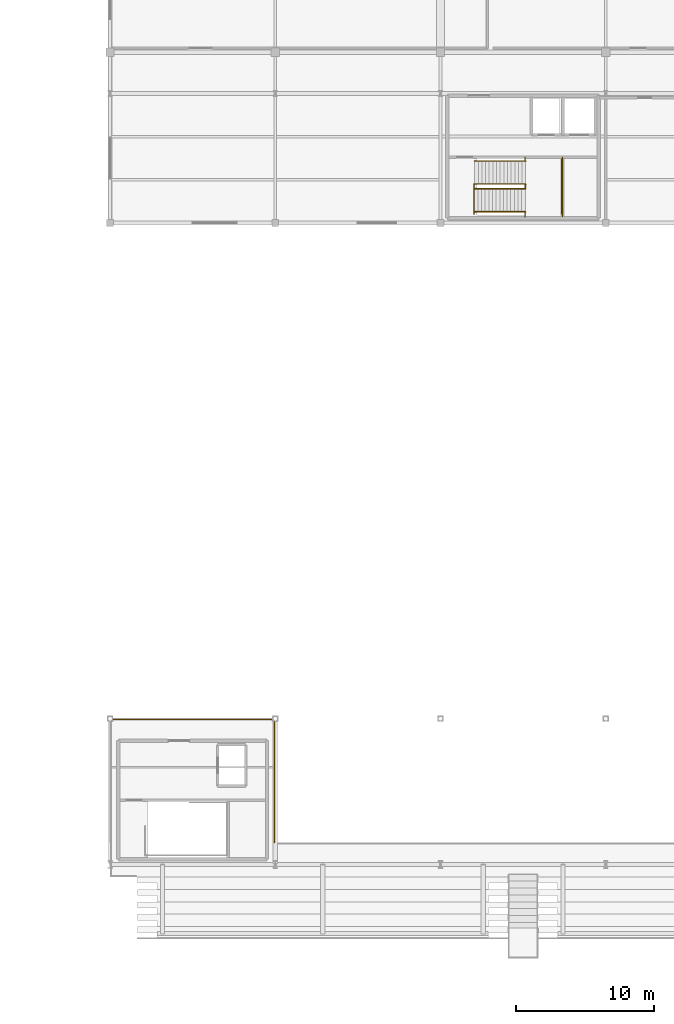
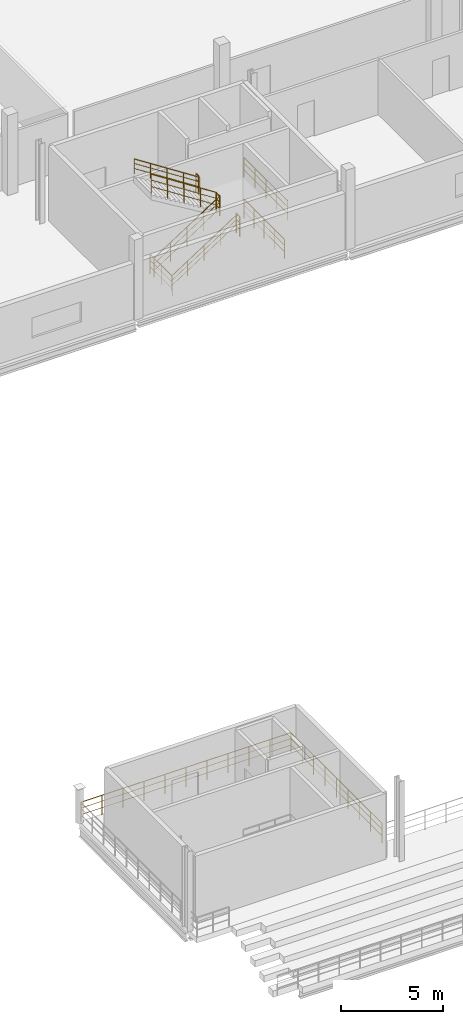
# One storey, part 48 of 52: 12 railings.
"""IFC4 building model written with IfcOpenShell, lengths in metres."""

from ifc_helpers import new_model, si_unit, direction, frame, origin, origin_2d, place, context, subcontext, project, spatial, circle, extrude, material, layer, layer_set, type_object, element, save


model = new_model("IFC4")

# Units and contexts
model_context = context("Model", 3, precision=1e-05, world=origin(), true_north=direction((0.0, 1.0)))
body_context = subcontext(model_context, "Body", "Model", "MODEL_VIEW")
ifc_project = project(units=[si_unit("LENGTHUNIT", "METRE"), si_unit("AREAUNIT", "SQUARE_METRE"), si_unit("VOLUMEUNIT", "CUBIC_METRE"), si_unit("PLANEANGLEUNIT", "RADIAN"), si_unit("MASSUNIT", "GRAM", prefix="KILO"), si_unit("THERMODYNAMICTEMPERATUREUNIT", "KELVIN"), si_unit("POWERUNIT", "WATT")], contexts=[model_context])

# Site, building, storey
site_placement = place(None, origin())
site = spatial("IfcSite", under=ifc_project, at=site_placement, CompositionType="ELEMENT")
building_placement = place(site_placement, origin())
building = spatial("IfcBuilding", under=site, at=building_placement, Name="Solmara Park Aquatics Centre", CompositionType="ELEMENT")
storey_placement = place(building_placement, frame((0.0, 0.0, 9.60009765625)))
storey = spatial("IfcBuildingStorey", under=building, at=storey_placement, Name="L02", CompositionType="ELEMENT", Elevation=9.60009765625)

# Railings
ifc_material_1 = material(Name="Brushed Marine-Grade Stainless Steel 316L Handrail", Category="steel")
ifc_layer_1 = layer(ifc_material_1, 0.044921875, Name="Brushed Marine-Grade Stainless Steel 316L Handrail")
ifc_layer_set_1 = layer_set([ifc_layer_1], Name="Brushed Marine-Grade Stainless Steel 316L Handrail")
railing_type_1 = type_object("IfcRailingType", Name="ARC-RL-HND090", PredefinedType="HANDRAIL", material=ifc_layer_set_1)
railing_1_placement = place(storey_placement, frame((51.050048828125, 109.409912109375, 0.159912109375)))
element("IfcRailing", 1, at=railing_1_placement, inside=storey, type_object=railing_type_1, Name="ST-01 Protected Exit Stair (L02 to L03) Flight 1 Outer Handrail", PredefinedType="HANDRAIL", context=body_context, shape_type="SweptSolid", body=[
    extrude(circle(Radius=0.02392578125, at=origin_2d()), frame((0.0, 0.0, 0.89599609375), z_axis=(0.839638341943, 0.0, 0.543145887161), x_axis=(0.0, 1.0, 0.0)), (0.0, 0.0, 1.0), 4.41845703125),
    extrude(circle(Radius=0.01416015625, at=origin_2d()), frame((0.0, 0.0, 0.322021484375), z_axis=(0.839638341943, 0.0, 0.543145887161), x_axis=(0.0, 1.0, 0.0)), (0.0, 0.0, 1.0), 4.41845703125),
    extrude(circle(Radius=0.01416015625, at=origin_2d()), frame((0.0, 0.0, 0.62548828125), z_axis=(0.839638341943, 0.0, 0.543145887161), x_axis=(0.0, 1.0, 0.0)), (0.0, 0.0, 1.0), 4.41845703125),
    extrude(circle(Radius=0.02099609375, at=origin_2d()), origin(), (0.0, 0.0, 1.0), 0.871826171875),
    extrude(circle(Radius=0.02099609375, at=origin_2d()), frame((0.927490234375, 0.0, 0.60009765625)), (0.0, 0.0, 1.0), 0.871826171875),
    extrude(circle(Radius=0.02099609375, at=origin_2d()), frame((1.85498046875, 0.0, 1.199951171875)), (0.0, 0.0, 1.0), 0.871826171875),
    extrude(circle(Radius=0.02099609375, at=origin_2d()), frame((2.782470703125, 0.0, 1.7998046875)), (0.0, 0.0, 1.0), 0.871826171875),
    extrude(circle(Radius=0.02099609375, at=origin_2d()), frame((3.7099609375, 0.0, 2.39990234375)), (0.0, 0.0, 1.0), 0.871826171875),
])
railing_2_placement = place(storey_placement, frame((54.7900390625, 113.090087890625, 2.559814453125)))
element("IfcRailing", 2, at=railing_2_placement, inside=storey, type_object=railing_type_1, Name="ST-01 Protected Exit Stair (L02 to L03) Flight 2 Outer Handrail", PredefinedType="HANDRAIL", context=body_context, shape_type="SweptSolid", body=[
    extrude(circle(Radius=0.02392578125, at=origin_2d()), frame((0.0, 0.0, 0.89599609375), z_axis=(-0.839613143467, 0.0, 0.543184838999), x_axis=(0.0, -1.0, 0.0)), (0.0, 0.0, 1.0), 4.418701171875),
    extrude(circle(Radius=0.01416015625, at=origin_2d()), frame((0.0, 0.0, 0.322021484375), z_axis=(-0.839613143467, 0.0, 0.543184838999), x_axis=(0.0, -1.0, 0.0)), (0.0, 0.0, 1.0), 4.418701171875),
    extrude(circle(Radius=0.01416015625, at=origin_2d()), frame((0.0, 0.0, 0.62548828125), z_axis=(-0.839613143467, 0.0, 0.543184838999), x_axis=(0.0, -1.0, 0.0)), (0.0, 0.0, 1.0), 4.418701171875),
    extrude(circle(Radius=0.02099609375, at=origin_2d()), origin(), (0.0, 0.0, 1.0), 0.871826171875),
    extrude(circle(Radius=0.02099609375, at=origin_2d()), frame((-0.927490234375, 0.0, 0.60009765625)), (0.0, 0.0, 1.0), 0.871826171875),
    extrude(circle(Radius=0.02099609375, at=origin_2d()), frame((-1.85498046875, 0.0, 1.2001953125)), (0.0, 0.0, 1.0), 0.871826171875),
    extrude(circle(Radius=0.02099609375, at=origin_2d()), frame((-2.782470703125, 0.0, 1.800048828125)), (0.0, 0.0, 1.0), 0.871826171875),
    extrude(circle(Radius=0.02099609375, at=origin_2d()), frame((-3.7099609375, 0.0, 2.400146484375)), (0.0, 0.0, 1.0), 0.871826171875),
])
ifc_material_2 = material(Name="Toughened Glass and Stainless Steel Stand Guardrail", Category="steel")
ifc_layer_2 = layer(ifc_material_2, 0.06005859375, Name="Toughened Glass and Stainless Steel Stand Guardrail")
ifc_layer_set_2 = layer_set([ifc_layer_2], Name="Toughened Glass and Stainless Steel Stand Guardrail")
railing_type_2 = type_object("IfcRailingType", Name="ARC-RL-STD110", PredefinedType="GUARDRAIL", material=ifc_layer_set_2)
railing_3_placement = place(storey_placement, frame((36.550048828125, 63.60009765625, 0.0)))
element("IfcRailing", 3, at=railing_3_placement, inside=storey, type_object=railing_type_2, Name="Atrium & Gallery Void Guardrail 15", PredefinedType="GUARDRAIL", context=body_context, shape_type="SweptSolid", body=[
    extrude(circle(Radius=0.02392578125, at=origin_2d()), frame((0.0, 0.0, 1.15576171875), z_axis=(0.0, 1.0, 0.0), x_axis=(-1.0, 0.0, 0.0)), (0.0, 0.0, 1.0), 8.949951171875),
    extrude(circle(Radius=0.01416015625, at=origin_2d()), frame((0.0, 0.0, 0.4130859375), z_axis=(0.0, 1.0, 0.0), x_axis=(-1.0, 0.0, 0.0)), (0.0, 0.0, 1.0), 8.949951171875),
    extrude(circle(Radius=0.01416015625, at=origin_2d()), frame((0.0, 0.0, 0.80224609375), z_axis=(0.0, 1.0, 0.0), x_axis=(-1.0, 0.0, 0.0)), (0.0, 0.0, 1.0), 8.949951171875),
    extrude(circle(Radius=0.02099609375, at=origin_2d()), origin(), (0.0, 0.0, 1.0), 1.1318359375),
    extrude(circle(Radius=0.02099609375, at=origin_2d()), frame((0.0, 1.11865234375, 0.0)), (0.0, 0.0, 1.0), 1.1318359375),
    extrude(circle(Radius=0.02099609375, at=origin_2d()), frame((0.0, 2.237548828125, 0.0)), (0.0, 0.0, 1.0), 1.1318359375),
    extrude(circle(Radius=0.02099609375, at=origin_2d()), frame((0.0, 3.356201171875, 0.0)), (0.0, 0.0, 1.0), 1.1318359375),
    extrude(circle(Radius=0.02099609375, at=origin_2d()), frame((0.0, 4.47509765625, 0.0)), (0.0, 0.0, 1.0), 1.1318359375),
    extrude(circle(Radius=0.02099609375, at=origin_2d()), frame((0.0, 5.59375, 0.0)), (0.0, 0.0, 1.0), 1.1318359375),
    extrude(circle(Radius=0.02099609375, at=origin_2d()), frame((0.0, 6.71240234375, 0.0)), (0.0, 0.0, 1.0), 1.1318359375),
    extrude(circle(Radius=0.02099609375, at=origin_2d()), frame((0.0, 7.831298828125, 0.0)), (0.0, 0.0, 1.0), 1.1318359375),
    extrude(circle(Radius=0.02099609375, at=origin_2d()), frame((0.0, 8.949951171875, 0.0)), (0.0, 0.0, 1.0), 1.1318359375),
])
railing_4_placement = place(storey_placement, frame((24.64990234375, 72.550048828125, 0.0)))
element("IfcRailing", 4, at=railing_4_placement, inside=storey, type_object=railing_type_2, Name="Atrium & Gallery Void Guardrail 16", PredefinedType="GUARDRAIL", context=body_context, shape_type="SweptSolid", body=[
    extrude(circle(Radius=0.02392578125, at=origin_2d()), frame((0.0, 0.0, 1.15576171875), z_axis=(1.0, 0.0, 0.0), x_axis=(0.0, 1.0, 0.0)), (0.0, 0.0, 1.0), 11.900146484375),
    extrude(circle(Radius=0.01416015625, at=origin_2d()), frame((0.0, 0.0, 0.4130859375), z_axis=(1.0, 0.0, 0.0), x_axis=(0.0, 1.0, 0.0)), (0.0, 0.0, 1.0), 11.900146484375),
    extrude(circle(Radius=0.01416015625, at=origin_2d()), frame((0.0, 0.0, 0.80224609375), z_axis=(1.0, 0.0, 0.0), x_axis=(0.0, 1.0, 0.0)), (0.0, 0.0, 1.0), 11.900146484375),
    extrude(circle(Radius=0.02099609375, at=origin_2d()), origin(), (0.0, 0.0, 1.0), 1.1318359375),
    extrude(circle(Radius=0.02099609375, at=origin_2d()), frame((1.18994140625, 0.0, 0.0)), (0.0, 0.0, 1.0), 1.1318359375),
    extrude(circle(Radius=0.02099609375, at=origin_2d()), frame((2.380126953125, 0.0, 0.0)), (0.0, 0.0, 1.0), 1.1318359375),
    extrude(circle(Radius=0.02099609375, at=origin_2d()), frame((3.570068359375, 0.0, 0.0)), (0.0, 0.0, 1.0), 1.1318359375),
    extrude(circle(Radius=0.02099609375, at=origin_2d()), frame((4.760009765625, 0.0, 0.0)), (0.0, 0.0, 1.0), 1.1318359375),
    extrude(circle(Radius=0.02099609375, at=origin_2d()), frame((5.9501953125, 0.0, 0.0)), (0.0, 0.0, 1.0), 1.1318359375),
    extrude(circle(Radius=0.02099609375, at=origin_2d()), frame((7.14013671875, 0.0, 0.0)), (0.0, 0.0, 1.0), 1.1318359375),
    extrude(circle(Radius=0.02099609375, at=origin_2d()), frame((8.330078125, 0.0, 0.0)), (0.0, 0.0, 1.0), 1.1318359375),
    extrude(circle(Radius=0.02099609375, at=origin_2d()), frame((9.52001953125, 0.0, 0.0)), (0.0, 0.0, 1.0), 1.1318359375),
    extrude(circle(Radius=0.02099609375, at=origin_2d()), frame((10.710205078125, 0.0, 0.0)), (0.0, 0.0, 1.0), 1.1318359375),
    extrude(circle(Radius=0.02099609375, at=origin_2d()), frame((11.900146484375, 0.0, 0.0)), (0.0, 0.0, 1.0), 1.1318359375),
])
ifc_material_3 = material(Name="Brushed Stainless Steel Guardrail", Category="steel")
ifc_layer_3 = layer(ifc_material_3, 0.050048828125, Name="Brushed Stainless Steel Guardrail")
ifc_layer_set_3 = layer_set([ifc_layer_3], Name="Brushed Stainless Steel Guardrail")
railing_type_3 = type_object("IfcRailingType", Name="ARC-RL-STR110", PredefinedType="GUARDRAIL", material=ifc_layer_set_3)
railing_5_placement = place(storey_placement, frame((51.030029296875, 109.27001953125, 0.0)))
element("IfcRailing", 5, at=railing_5_placement, inside=storey, type_object=railing_type_3, Name="ST-01 Protected Exit Stair (L01 to L02) Arrival Well Guardrail", PredefinedType="GUARDRAIL", context=body_context, shape_type="SweptSolid", body=[
    extrude(circle(Radius=0.02392578125, at=origin_2d()), frame((0.0, 0.0, 1.15576171875), z_axis=(0.0, 1.0, 0.0), x_axis=(-1.0, 0.0, 0.0)), (0.0, 0.0, 1.0), 2.169921875),
    extrude(circle(Radius=0.01416015625, at=origin_2d()), frame((0.0, 0.0, 0.4130859375), z_axis=(0.0, 1.0, 0.0), x_axis=(-1.0, 0.0, 0.0)), (0.0, 0.0, 1.0), 2.169921875),
    extrude(circle(Radius=0.01416015625, at=origin_2d()), frame((0.0, 0.0, 0.80224609375), z_axis=(0.0, 1.0, 0.0), x_axis=(-1.0, 0.0, 0.0)), (0.0, 0.0, 1.0), 2.169921875),
    extrude(circle(Radius=0.02099609375, at=origin_2d()), origin(), (0.0, 0.0, 1.0), 1.1318359375),
    extrude(circle(Radius=0.02099609375, at=origin_2d()), frame((0.0, 1.0849609375, 0.0)), (0.0, 0.0, 1.0), 1.1318359375),
    extrude(circle(Radius=0.02099609375, at=origin_2d()), frame((0.0, 2.169921875, 0.0)), (0.0, 0.0, 1.0), 1.1318359375),
])
railing_6_placement = place(storey_placement, frame((57.3798828125, 109.27001953125, 0.0)))
element("IfcRailing", 6, at=railing_6_placement, inside=storey, type_object=railing_type_3, Name="ST-01 Protected Exit Stair (L01 to L02) Far Well Edge Guardrail", PredefinedType="GUARDRAIL", context=body_context, shape_type="SweptSolid", body=[
    extrude(circle(Radius=0.02392578125, at=origin_2d()), frame((0.0, 0.0, 1.15576171875), z_axis=(0.0, 1.0, 0.0), x_axis=(-1.0, 0.0, 0.0)), (0.0, 0.0, 1.0), 3.9599609375),
    extrude(circle(Radius=0.01416015625, at=origin_2d()), frame((0.0, 0.0, 0.4130859375), z_axis=(0.0, 1.0, 0.0), x_axis=(-1.0, 0.0, 0.0)), (0.0, 0.0, 1.0), 3.9599609375),
    extrude(circle(Radius=0.01416015625, at=origin_2d()), frame((0.0, 0.0, 0.80224609375), z_axis=(0.0, 1.0, 0.0), x_axis=(-1.0, 0.0, 0.0)), (0.0, 0.0, 1.0), 3.9599609375),
    extrude(circle(Radius=0.02099609375, at=origin_2d()), origin(), (0.0, 0.0, 1.0), 1.1318359375),
    extrude(circle(Radius=0.02099609375, at=origin_2d()), frame((0.0, 0.989990234375, 0.0)), (0.0, 0.0, 1.0), 1.1318359375),
    extrude(circle(Radius=0.02099609375, at=origin_2d()), frame((0.0, 1.97998046875, 0.0)), (0.0, 0.0, 1.0), 1.1318359375),
    extrude(circle(Radius=0.02099609375, at=origin_2d()), frame((0.0, 2.969970703125, 0.0)), (0.0, 0.0, 1.0), 1.1318359375),
    extrude(circle(Radius=0.02099609375, at=origin_2d()), frame((0.0, 3.9599609375, 0.0)), (0.0, 0.0, 1.0), 1.1318359375),
])
railing_7_placement = place(storey_placement, frame((51.050048828125, 111.080078125, 0.0)))
element("IfcRailing", 7, at=railing_7_placement, inside=storey, type_object=railing_type_3, Name="ST-01 Protected Exit Stair (L02 to L03) Flight 1 Inner Guardrail", PredefinedType="GUARDRAIL", context=body_context, shape_type="SweptSolid", body=[
    extrude(circle(Radius=0.02392578125, at=origin_2d()), frame((0.0, 0.0, 1.15576171875), z_axis=(0.839638341943, 0.0, 0.543145887161), x_axis=(0.0, 1.0, 0.0)), (0.0, 0.0, 1.0), 4.41845703125),
    extrude(circle(Radius=0.01416015625, at=origin_2d()), frame((0.0, 0.0, 0.4130859375), z_axis=(0.839638341943, 0.0, 0.543145887161), x_axis=(0.0, 1.0, 0.0)), (0.0, 0.0, 1.0), 4.41845703125),
    extrude(circle(Radius=0.01416015625, at=origin_2d()), frame((0.0, 0.0, 0.80224609375), z_axis=(0.839638341943, 0.0, 0.543145887161), x_axis=(0.0, 1.0, 0.0)), (0.0, 0.0, 1.0), 4.41845703125),
    extrude(circle(Radius=0.02099609375, at=origin_2d()), origin(), (0.0, 0.0, 1.0), 1.1318359375),
    extrude(circle(Radius=0.02099609375, at=origin_2d()), frame((0.927490234375, 0.0, 0.60009765625)), (0.0, 0.0, 1.0), 1.1318359375),
    extrude(circle(Radius=0.02099609375, at=origin_2d()), frame((1.85498046875, 0.0, 1.199951171875)), (0.0, 0.0, 1.0), 1.1318359375),
    extrude(circle(Radius=0.02099609375, at=origin_2d()), frame((2.782470703125, 0.0, 1.7998046875)), (0.0, 0.0, 1.0), 1.1318359375),
    extrude(circle(Radius=0.02099609375, at=origin_2d()), frame((3.7099609375, 0.0, 2.39990234375)), (0.0, 0.0, 1.0), 1.1318359375),
])
railing_8_placement = place(storey_placement, frame((54.7900390625, 111.419921875, 2.39990234375)))
element("IfcRailing", 8, at=railing_8_placement, inside=storey, type_object=railing_type_3, Name="ST-01 Protected Exit Stair (L02 to L03) Flight 2 Inner Guardrail", PredefinedType="GUARDRAIL", context=body_context, shape_type="SweptSolid", body=[
    extrude(circle(Radius=0.02392578125, at=origin_2d()), frame((0.0, 0.0, 1.15576171875), z_axis=(-0.839638341943, 0.0, 0.543145887161), x_axis=(0.0, -1.0, 0.0)), (0.0, 0.0, 1.0), 4.41845703125),
    extrude(circle(Radius=0.01416015625, at=origin_2d()), frame((0.0, 0.0, 0.4130859375), z_axis=(-0.839638341943, 0.0, 0.543145887161), x_axis=(0.0, -1.0, 0.0)), (0.0, 0.0, 1.0), 4.41845703125),
    extrude(circle(Radius=0.01416015625, at=origin_2d()), frame((0.0, 0.0, 0.80224609375), z_axis=(-0.839638341943, 0.0, 0.543145887161), x_axis=(0.0, -1.0, 0.0)), (0.0, 0.0, 1.0), 4.41845703125),
    extrude(circle(Radius=0.02099609375, at=origin_2d()), origin(), (0.0, 0.0, 1.0), 1.1318359375),
    extrude(circle(Radius=0.02099609375, at=origin_2d()), frame((-0.927490234375, 0.0, 0.60009765625)), (0.0, 0.0, 1.0), 1.1318359375),
    extrude(circle(Radius=0.02099609375, at=origin_2d()), frame((-1.85498046875, 0.0, 1.199951171875)), (0.0, 0.0, 1.0), 1.1318359375),
    extrude(circle(Radius=0.02099609375, at=origin_2d()), frame((-2.782470703125, 0.0, 1.7998046875)), (0.0, 0.0, 1.0), 1.1318359375),
    extrude(circle(Radius=0.02099609375, at=origin_2d()), frame((-3.7099609375, 0.0, 2.39990234375)), (0.0, 0.0, 1.0), 1.1318359375),
])
railing_9_placement = place(storey_placement, frame((54.760009765625, 111.06005859375, 2.39990234375)))
element("IfcRailing", 9, at=railing_9_placement, inside=storey, type_object=railing_type_3, Name="ST-01 Protected Exit Stair (L02 to L03) Half-Landing Well Guardrail", PredefinedType="GUARDRAIL", context=body_context, shape_type="SweptSolid", body=[
    extrude(circle(Radius=0.02392578125, at=origin_2d()), frame((0.0, 0.0, 1.15576171875), z_axis=(0.0, 1.0, 0.0), x_axis=(-1.0, 0.0, 0.0)), (0.0, 0.0, 1.0), 0.3798828125),
    extrude(circle(Radius=0.01416015625, at=origin_2d()), frame((0.0, 0.0, 0.4130859375), z_axis=(0.0, 1.0, 0.0), x_axis=(-1.0, 0.0, 0.0)), (0.0, 0.0, 1.0), 0.3798828125),
    extrude(circle(Radius=0.01416015625, at=origin_2d()), frame((0.0, 0.0, 0.80224609375), z_axis=(0.0, 1.0, 0.0), x_axis=(-1.0, 0.0, 0.0)), (0.0, 0.0, 1.0), 0.3798828125),
    extrude(circle(Radius=0.02099609375, at=origin_2d()), origin(), (0.0, 0.0, 1.0), 1.1318359375),
    extrude(circle(Radius=0.02099609375, at=origin_2d()), frame((0.0, 0.3798828125, 0.0)), (0.0, 0.0, 1.0), 1.1318359375),
])
railing_10_placement = place(storey_placement, frame((54.72998046875, 109.0400390625, 2.39990234375)))
element("IfcRailing", 10, at=railing_10_placement, inside=storey, type_object=railing_type_3, Name="ST-01 Protected Exit Stair (L02 to L03) Half-Landing South Slot Guardrail", PredefinedType="GUARDRAIL", context=body_context, shape_type="SweptSolid", body=[
    extrude(circle(Radius=0.02392578125, at=origin_2d()), frame((0.0, 0.0, 1.15576171875), z_axis=(0.0, 1.0, 0.0), x_axis=(-1.0, 0.0, 0.0)), (0.0, 0.0, 1.0), 0.35986328125),
    extrude(circle(Radius=0.01416015625, at=origin_2d()), frame((0.0, 0.0, 0.4130859375), z_axis=(0.0, 1.0, 0.0), x_axis=(-1.0, 0.0, 0.0)), (0.0, 0.0, 1.0), 0.35986328125),
    extrude(circle(Radius=0.01416015625, at=origin_2d()), frame((0.0, 0.0, 0.80224609375), z_axis=(0.0, 1.0, 0.0), x_axis=(-1.0, 0.0, 0.0)), (0.0, 0.0, 1.0), 0.35986328125),
    extrude(circle(Radius=0.02099609375, at=origin_2d()), origin(), (0.0, 0.0, 1.0), 1.1318359375),
    extrude(circle(Radius=0.02099609375, at=origin_2d()), frame((0.0, 0.35986328125, 0.0)), (0.0, 0.0, 1.0), 1.1318359375),
])
railing_11_placement = place(storey_placement, frame((54.72998046875, 113.10009765625, 2.39990234375)))
element("IfcRailing", 11, at=railing_11_placement, inside=storey, type_object=railing_type_3, Name="ST-01 Protected Exit Stair (L02 to L03) Half-Landing North Slot Guardrail", PredefinedType="GUARDRAIL", context=body_context, shape_type="SweptSolid", body=[
    extrude(circle(Radius=0.02392578125, at=origin_2d()), frame((0.0, 0.0, 1.15576171875), z_axis=(0.0, 1.0, 0.0), x_axis=(-1.0, 0.0, 0.0)), (0.0, 0.0, 1.0), 0.260009765625),
    extrude(circle(Radius=0.01416015625, at=origin_2d()), frame((0.0, 0.0, 0.4130859375), z_axis=(0.0, 1.0, 0.0), x_axis=(-1.0, 0.0, 0.0)), (0.0, 0.0, 1.0), 0.260009765625),
    extrude(circle(Radius=0.01416015625, at=origin_2d()), frame((0.0, 0.0, 0.80224609375), z_axis=(0.0, 1.0, 0.0), x_axis=(-1.0, 0.0, 0.0)), (0.0, 0.0, 1.0), 0.260009765625),
    extrude(circle(Radius=0.02099609375, at=origin_2d()), origin(), (0.0, 0.0, 1.0), 1.1318359375),
    extrude(circle(Radius=0.02099609375, at=origin_2d()), frame((0.0, 0.260009765625, 0.0)), (0.0, 0.0, 1.0), 1.1318359375),
])
railing_12_placement = place(storey_placement, frame((57.449951171875, 109.06005859375, 2.39990234375)))
element("IfcRailing", 12, at=railing_12_placement, inside=storey, type_object=railing_type_3, Name="ST-01 Protected Exit Stair (L02 to L03) Half-Landing Outer Guardrail", PredefinedType="GUARDRAIL", context=body_context, shape_type="SweptSolid", body=[
    extrude(circle(Radius=0.02392578125, at=origin_2d()), frame((0.0, 0.0, 1.15576171875), z_axis=(0.0, 1.0, 0.0), x_axis=(-1.0, 0.0, 0.0)), (0.0, 0.0, 1.0), 4.280029296875),
    extrude(circle(Radius=0.01416015625, at=origin_2d()), frame((0.0, 0.0, 0.4130859375), z_axis=(0.0, 1.0, 0.0), x_axis=(-1.0, 0.0, 0.0)), (0.0, 0.0, 1.0), 4.280029296875),
    extrude(circle(Radius=0.01416015625, at=origin_2d()), frame((0.0, 0.0, 0.80224609375), z_axis=(0.0, 1.0, 0.0), x_axis=(-1.0, 0.0, 0.0)), (0.0, 0.0, 1.0), 4.280029296875),
    extrude(circle(Radius=0.02099609375, at=origin_2d()), origin(), (0.0, 0.0, 1.0), 1.1318359375),
    extrude(circle(Radius=0.02099609375, at=origin_2d()), frame((0.0, 1.070068359375, 0.0)), (0.0, 0.0, 1.0), 1.1318359375),
    extrude(circle(Radius=0.02099609375, at=origin_2d()), frame((0.0, 2.14013671875, 0.0)), (0.0, 0.0, 1.0), 1.1318359375),
    extrude(circle(Radius=0.02099609375, at=origin_2d()), frame((0.0, 3.2099609375, 0.0)), (0.0, 0.0, 1.0), 1.1318359375),
    extrude(circle(Radius=0.02099609375, at=origin_2d()), frame((0.0, 4.280029296875, 0.0)), (0.0, 0.0, 1.0), 1.1318359375),
])

save(model, "model.ifc")
